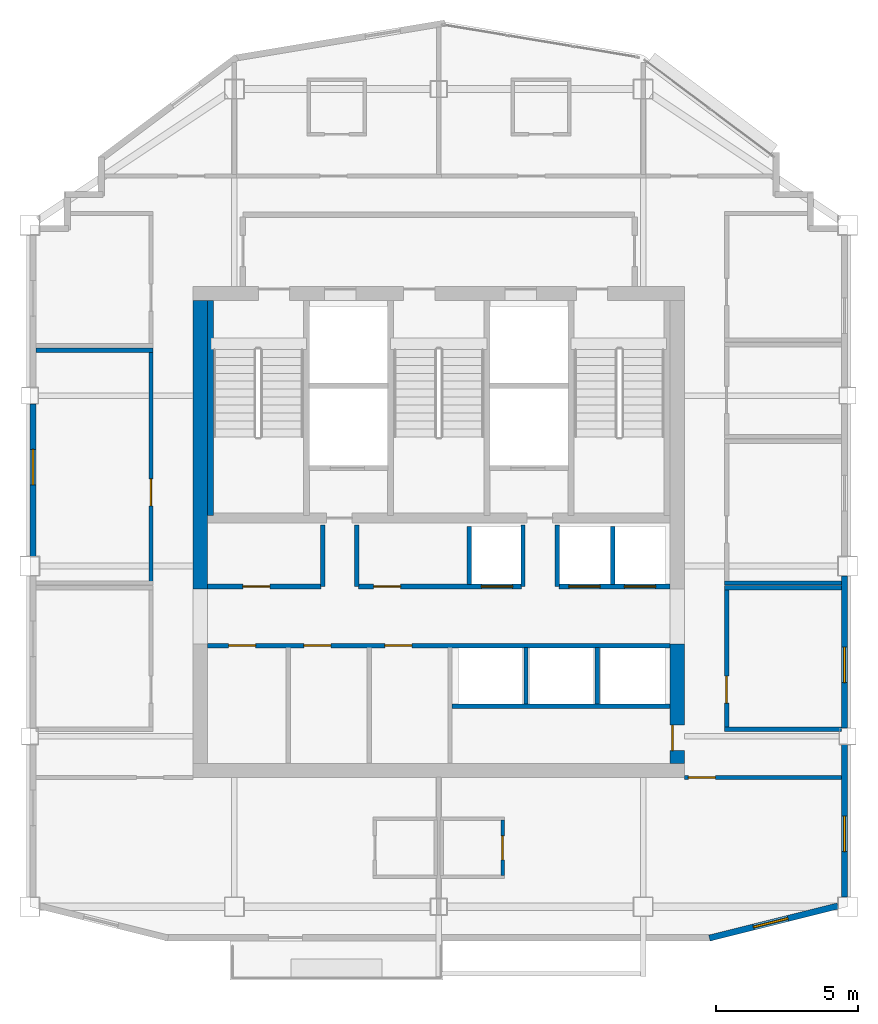
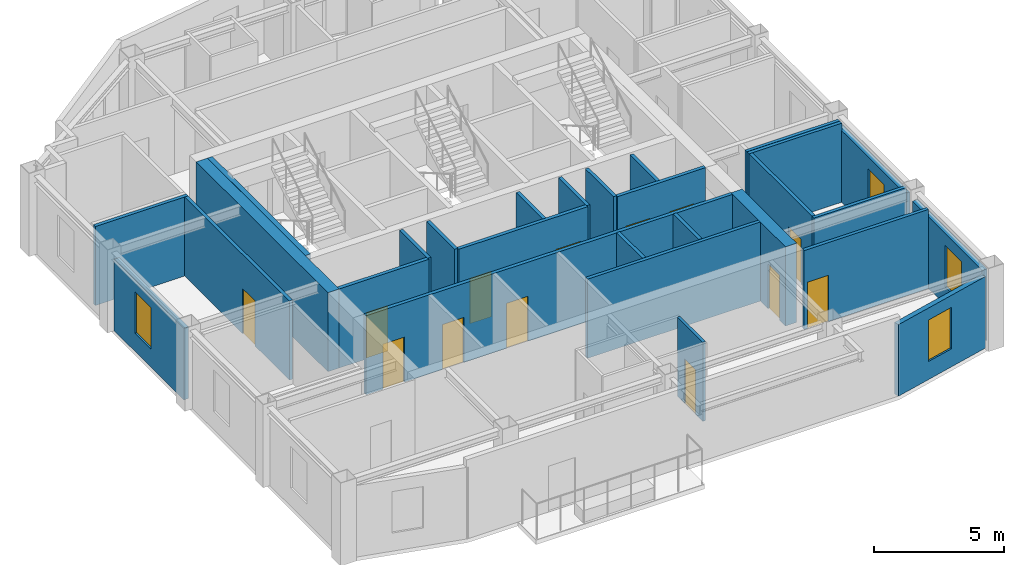
# One storey, part 5 of 9: 28 walls, 13 doors, 4 windows, 17 openings.
"""IFC4 building model written with IfcOpenShell, lengths in metres."""

from ifc_helpers import new_model, si_unit, direction, frame, frame_2d, origin, place, context, subcontext, project, spatial, rectangle, extrude, material, layer, layer_set, type_object, element, fill, save


model = new_model("IFC4")

# Units and contexts
model_context = context("Model", 3, precision=1e-05, world=origin(), true_north=direction((0.0, 1.0)))
body_context = subcontext(model_context, "Body", "Model", "MODEL_VIEW")
ifc_project = project(units=[si_unit("LENGTHUNIT", "METRE"), si_unit("AREAUNIT", "SQUARE_METRE"), si_unit("VOLUMEUNIT", "CUBIC_METRE"), si_unit("PLANEANGLEUNIT", "RADIAN"), si_unit("MASSUNIT", "GRAM", prefix="KILO")], contexts=[model_context])

# Site, building, storey
site_placement = place(None, origin())
site = spatial("IfcSite", under=ifc_project, at=site_placement, CompositionType="ELEMENT")
building_placement = place(site_placement, origin())
building = spatial("IfcBuilding", under=site, at=building_placement, Name="Haolan Belvedere Tower", CompositionType="ELEMENT")
storey_placement = place(building_placement, frame((0.0, 0.0, 290.0)))
storey = spatial("IfcBuildingStorey", under=building, at=storey_placement, Name="L73", CompositionType="ELEMENT", Elevation=290.0)

# Wall
ifc_material_1 = material(Name="Concrete C50/60", Category="concrete")
ifc_layer_1 = layer(ifc_material_1, 0.5, Name="Concrete C50/60")
ifc_layer_set_1 = layer_set([ifc_layer_1], Name="Concrete C50/60")
wall_type_1 = type_object("IfcWallType", Name="WL-CORE-500", PredefinedType="SHEAR", material=ifc_layer_set_1)
wall_1_placement = place(storey_placement, frame((30.0, 32.800048828125, 0.0), z_axis=(0.0, 0.0, 1.0), x_axis=(0.0, 1.0, 0.0)))
element("IfcWall", 1, at=wall_1_placement, inside=storey, type_object=wall_type_1, Name="L73 central core shear wall WN", PredefinedType="SHEAR", context=body_context, shape_type="SweptSolid", body=[
    extrude(rectangle(XDim=10.14990234375, YDim=0.5, at=frame_2d((5.074951171875, 0.0))), origin(), (0.0, 0.0, 1.0), 3.719970703125),
])

# Wall, opening, door
wall_2_placement = place(storey_placement, frame((46.800048828125, 26.64990234375, 0.0), z_axis=(0.0, 0.0, 1.0), x_axis=(0.0, 1.0, 0.0)))
wall_2 = element("IfcWall", 2, at=wall_2_placement, inside=storey, type_object=wall_type_1, Name="L73 central core shear wall ES", PredefinedType="SHEAR", context=body_context, shape_type="SweptSolid", body=[
    extrude(rectangle(XDim=4.2001953125, YDim=0.5, at=frame_2d((2.10009765625, 0.0))), origin(), (0.0, 0.0, 1.0), 3.719970703125),
])
opening_1_placement = place(wall_2_placement, frame((1.349853515625, 0.0, 0.0), z_axis=(0.0, 0.0, 1.0), x_axis=(-1.0, 0.0, 0.0)))
opening_1 = element("IfcOpeningElement", 3, at=opening_1_placement, cuts=wall_2, Name="Opening FD-05", PredefinedType="OPENING", context=body_context, shape_type="SweptSolid", body=[
    extrude(rectangle(XDim=0.89990234375, YDim=2.10009765625, at=frame_2d((0.449951171875, 1.050048828125))), frame((0.0, 0.260009765625, 0.0), z_axis=(0.0, -1.0, 0.0), x_axis=(1.0, 0.0, 0.0)), (0.0, 0.0, 1.0), 0.52001953125),
])
ifc_material_2 = material(Name="Galvanised fire-rated steel", Category="steel")
door_type_1 = type_object("IfcDoorType", Name="DR-FD60-900", OperationType="NOTDEFINED", PredefinedType="DOOR", material=ifc_material_2)
door_1_placement = place(opening_1_placement, origin())
door_1 = element("IfcDoor", 4, at=door_1_placement, inside=storey, type_object=door_type_1, Name="L73 door CD-L73-SCVE", OperationType="SINGLE_SWING_RIGHT", OverallHeight=2.10009765625, OverallWidth=0.89990234375, PredefinedType="DOOR", context=body_context, shape_type="SweptSolid", body=[
    extrude(rectangle(XDim=0.89990234375, YDim=2.10009765625, at=frame_2d((0.449951171875, 1.050048828125))), frame((0.0, -0.134765625, 0.0), z_axis=(0.0, -1.0, 0.0), x_axis=(1.0, 0.0, 0.0)), (0.0, 0.0, 1.0), 0.050048828125),
])
fill(opening_1, door_1)

# Wall, opening, window
ifc_material_3 = material(Name="Precast concrete C40/50", Category="concrete")
ifc_layer_2 = layer(ifc_material_3, 0.219970703125, Name="Precast concrete C40/50")
ifc_layer_set_2 = layer_set([ifc_layer_2], Name="Precast concrete C40/50")
wall_type_2 = type_object("IfcWallType", Name="WL-EXT-220", PredefinedType="SOLIDWALL", material=ifc_layer_set_2)
wall_3_placement = place(storey_placement, frame((47.93310546875, 20.49658203125, 0.0), z_axis=(0.0, 0.0, 1.0), x_axis=(0.970136341762, 0.242560257242, 0.0)))
wall_3 = element("IfcWall", 5, at=wall_3_placement, inside=storey, type_object=wall_type_2, Name="L73 pale-metal exterior spandrel wall 2.1", PredefinedType="SOLIDWALL", context=body_context, shape_type="SweptSolid", body=[
    extrude(rectangle(XDim=4.664306640625, YDim=0.219970703125, at=frame_2d((2.33203125, 0.0))), origin(), (0.0, 0.0, 1.0), 3.364990234375),
])
opening_2_placement = place(wall_3_placement, frame((1.60009765625, 0.0, 0.85009765625)))
opening_2 = element("IfcOpeningElement", 6, at=opening_2_placement, cuts=wall_3, Name="Opening W-04", PredefinedType="OPENING", context=body_context, shape_type="SweptSolid", body=[
    extrude(rectangle(XDim=1.25, YDim=1.949951171875, at=frame_2d((0.625, 0.97509765625))), frame((0.0, 0.119873046875, 0.0), z_axis=(0.0, -1.0, 0.0), x_axis=(1.0, 0.0, 0.0)), (0.0, 0.0, 1.0), 0.239990234375),
])
ifc_material_4 = material(Name="Anodised aluminium 6063-T6 and Low-E glass", Category="aluminium")
window_type = type_object("IfcWindowType", Name="WN-DECO-Z4", PartitioningType="SINGLE_PANEL", PredefinedType="WINDOW", material=ifc_material_4)
window_1_placement = place(opening_2_placement, origin())
window_1 = element("IfcWindow", 7, at=window_1_placement, inside=storey, type_object=window_type, Name="L73 Art Deco chevron window 1", OverallHeight=1.949951171875, OverallWidth=1.25, PartitioningType="SINGLE_PANEL", PredefinedType="WINDOW", context=body_context, shape_type="SweptSolid", body=[
    extrude(rectangle(XDim=1.25, YDim=1.949951171875, at=frame_2d((0.625, 0.97509765625))), frame((0.0, 0.030029296875, 0.0), z_axis=(0.0, -1.0, 0.0), x_axis=(1.0, 0.0, 0.0)), (0.0, 0.0, 1.0), 0.06005859375),
])
fill(opening_2, window_1)

wall_4_placement = place(storey_placement, frame((52.68994140625, 21.94189453125, 0.0), z_axis=(0.0, 0.0, 1.0), x_axis=(0.0, 1.0, 0.0)))
wall_4 = element("IfcWall", 8, at=wall_4_placement, inside=storey, type_object=wall_type_2, Name="L73 pale-metal exterior spandrel wall 3.1", PredefinedType="SOLIDWALL", context=body_context, shape_type="SweptSolid", body=[
    extrude(rectangle(XDim=5.3662109375, YDim=0.219970703125, at=frame_2d((2.68310546875, 0.0))), origin(), (0.0, 0.0, 1.0), 3.364990234375),
])
opening_3_placement = place(wall_4_placement, frame((1.60009765625, 0.0, 0.85009765625)))
opening_3 = element("IfcOpeningElement", 9, at=opening_3_placement, cuts=wall_4, Name="Opening W-04", PredefinedType="OPENING", context=body_context, shape_type="SweptSolid", body=[
    extrude(rectangle(XDim=1.25, YDim=1.949951171875, at=frame_2d((0.625, 0.97509765625))), frame((0.0, 0.119873046875, 0.0), z_axis=(0.0, -1.0, 0.0), x_axis=(1.0, 0.0, 0.0)), (0.0, 0.0, 1.0), 0.239990234375),
])
window_2_placement = place(opening_3_placement, origin())
window_2 = element("IfcWindow", 10, at=window_2_placement, inside=storey, type_object=window_type, Name="L73 Art Deco chevron window 1", OverallHeight=1.949951171875, OverallWidth=1.25, PartitioningType="SINGLE_PANEL", PredefinedType="WINDOW", context=body_context, shape_type="SweptSolid", body=[
    extrude(rectangle(XDim=1.25, YDim=1.949951171875, at=frame_2d((0.625, 0.97509765625))), frame((0.0, 0.030029296875, 0.0), z_axis=(0.0, -1.0, 0.0), x_axis=(1.0, 0.0, 0.0)), (0.0, 0.0, 1.0), 0.06005859375),
])
fill(opening_3, window_2)

wall_5_placement = place(storey_placement, frame((52.68994140625, 27.89208984375, 0.0), z_axis=(0.0, 0.0, 1.0), x_axis=(0.0, 1.0, 0.0)))
wall_5 = element("IfcWall", 11, at=wall_5_placement, inside=storey, type_object=wall_type_2, Name="L73 pale-metal exterior spandrel wall 3.2", PredefinedType="SOLIDWALL", context=body_context, shape_type="SweptSolid", body=[
    extrude(rectangle(XDim=5.365966796875, YDim=0.219970703125, at=frame_2d((2.68310546875, 0.0))), origin(), (0.0, 0.0, 1.0), 3.364990234375),
])
opening_4_placement = place(wall_5_placement, frame((1.60009765625, 0.0, 0.85009765625)))
opening_4 = element("IfcOpeningElement", 12, at=opening_4_placement, cuts=wall_5, Name="Opening W-04", PredefinedType="OPENING", context=body_context, shape_type="SweptSolid", body=[
    extrude(rectangle(XDim=1.25, YDim=1.949951171875, at=frame_2d((0.625, 0.97509765625))), frame((0.0, 0.119873046875, 0.0), z_axis=(0.0, -1.0, 0.0), x_axis=(1.0, 0.0, 0.0)), (0.0, 0.0, 1.0), 0.239990234375),
])
window_3_placement = place(opening_4_placement, origin())
window_3 = element("IfcWindow", 13, at=window_3_placement, inside=storey, type_object=window_type, Name="L73 Art Deco chevron window 1", OverallHeight=1.949951171875, OverallWidth=1.25, PartitioningType="SINGLE_PANEL", PredefinedType="WINDOW", context=body_context, shape_type="SweptSolid", body=[
    extrude(rectangle(XDim=1.25, YDim=1.949951171875, at=frame_2d((0.625, 0.97509765625))), frame((0.0, 0.030029296875, 0.0), z_axis=(0.0, -1.0, 0.0), x_axis=(1.0, 0.0, 0.0)), (0.0, 0.0, 1.0), 0.06005859375),
])
fill(opening_4, window_3)

wall_6_placement = place(storey_placement, frame((24.110107421875, 39.30810546875, 0.0), z_axis=(0.0, 0.0, 1.0), x_axis=(0.0, -1.0, 0.0)))
wall_6 = element("IfcWall", 14, at=wall_6_placement, inside=storey, type_object=wall_type_2, Name="L73 pale-metal exterior spandrel wall 16.2", PredefinedType="SOLIDWALL", context=body_context, shape_type="SweptSolid", body=[
    extrude(rectangle(XDim=5.3662109375, YDim=0.219970703125, at=frame_2d((2.68310546875, 0.0))), origin(), (0.0, 0.0, 1.0), 3.364990234375),
])
opening_5_placement = place(wall_6_placement, frame((1.60009765625, 0.0, 0.85009765625)))
opening_5 = element("IfcOpeningElement", 15, at=opening_5_placement, cuts=wall_6, Name="Opening W-04", PredefinedType="OPENING", context=body_context, shape_type="SweptSolid", body=[
    extrude(rectangle(XDim=1.25, YDim=1.949951171875, at=frame_2d((0.625, 0.97509765625))), frame((0.0, 0.119873046875, 0.0), z_axis=(0.0, -1.0, 0.0), x_axis=(1.0, 0.0, 0.0)), (0.0, 0.0, 1.0), 0.239990234375),
])
window_4_placement = place(opening_5_placement, origin())
window_4 = element("IfcWindow", 16, at=window_4_placement, inside=storey, type_object=window_type, Name="L73 Art Deco chevron window 1", OverallHeight=1.949951171875, OverallWidth=1.25, PartitioningType="SINGLE_PANEL", PredefinedType="WINDOW", context=body_context, shape_type="SweptSolid", body=[
    extrude(rectangle(XDim=1.25, YDim=1.949951171875, at=frame_2d((0.625, 0.97509765625))), frame((0.0, 0.030029296875, 0.0), z_axis=(0.0, -1.0, 0.0), x_axis=(1.0, 0.0, 0.0)), (0.0, 0.0, 1.0), 0.06005859375),
])
fill(opening_5, window_4)

# Walls
ifc_material_5 = material(Name="Double gypsum acoustic stud partition", Category="masonry")
ifc_layer_3 = layer(ifc_material_5, 0.14990234375, Name="Double gypsum acoustic stud partition")
ifc_layer_set_3 = layer_set([ifc_layer_3], Name="Double gypsum acoustic stud partition")
wall_type_3 = type_object("IfcWallType", Name="WL-PART-150", PredefinedType="PARTITIONING", material=ifc_layer_set_3)
wall_7_placement = place(storey_placement, frame((38.860107421875, 28.659912109375, 0.0), z_axis=(0.0, 0.0, 1.0), x_axis=(1.0, 0.0, 0.0)))
element("IfcWall", 17, at=wall_7_placement, inside=storey, type_object=wall_type_3, Name="L73 interior partition IW-L73-SSTRIP-E", PredefinedType="PARTITIONING", context=body_context, shape_type="SweptSolid", body=[
    extrude(rectangle(XDim=7.68994140625, YDim=0.14990234375, at=frame_2d((3.844970703125, 0.0))), origin(), (0.0, 0.0, 1.0), 3.719970703125),
])
wall_8_placement = place(storey_placement, frame((24.2119140625, 41.199951171875, 0.0), z_axis=(0.0, 0.0, 1.0), x_axis=(1.0, 0.0, 0.0)))
element("IfcWall", 18, at=wall_8_placement, inside=storey, type_object=wall_type_3, Name="L73 interior partition IW-L73-SAL-N", PredefinedType="PARTITIONING", context=body_context, shape_type="SweptSolid", body=[
    extrude(rectangle(XDim=4.128173828125, YDim=0.14990234375, at=frame_2d((2.06396484375, 0.0))), origin(), (0.0, 0.0, 1.0), 3.719970703125),
])

# Wall, opening, door
wall_9_placement = place(storey_placement, frame((28.260009765625, 33.06005859375, 0.0), z_axis=(0.0, 0.0, 1.0), x_axis=(0.0, 1.0, 0.0)))
wall_9 = element("IfcWall", 19, at=wall_9_placement, inside=storey, type_object=wall_type_3, Name="L73 interior partition IW-L73-SAL-E", PredefinedType="PARTITIONING", context=body_context, shape_type="SweptSolid", body=[
    extrude(rectangle(XDim=8.079833984375, YDim=0.14990234375, at=frame_2d((4.0400390625, 0.0))), origin(), (0.0, 0.0, 1.0), 3.719970703125),
])
opening_6_placement = place(wall_9_placement, frame((3.60986328125, 0.0, 0.0), z_axis=(0.0, 0.0, 1.0), x_axis=(-1.0, 0.0, 0.0)))
opening_6 = element("IfcOpeningElement", 20, at=opening_6_placement, cuts=wall_9, Name="Opening ID-03", PredefinedType="OPENING", context=body_context, shape_type="SweptSolid", body=[
    extrude(rectangle(XDim=0.949951171875, YDim=2.1201171875, at=frame_2d((0.47509765625, 1.06005859375))), frame((0.0, 0.0849609375, 0.0), z_axis=(0.0, -1.0, 0.0), x_axis=(1.0, 0.0, 0.0)), (0.0, 0.0, 1.0), 0.169921875),
])
ifc_material_6 = material(Name="Painted solid-core timber", Category="wood")
door_type_2 = type_object("IfcDoorType", Name="DR-INT-950", OperationType="NOTDEFINED", PredefinedType="DOOR", material=ifc_material_6)
door_2_placement = place(opening_6_placement, origin())
door_2 = element("IfcDoor", 21, at=door_2_placement, inside=storey, type_object=door_type_2, Name="L73 door ID-L73-SAL", OperationType="SINGLE_SWING_LEFT", OverallHeight=2.1201171875, OverallWidth=0.949951171875, PredefinedType="DOOR", context=body_context, shape_type="SweptSolid", body=[
    extrude(rectangle(XDim=0.949951171875, YDim=2.1201171875, at=frame_2d((0.47509765625, 1.06005859375))), frame((0.0, 0.02490234375, 0.0), z_axis=(0.0, -1.0, 0.0), x_axis=(1.0, 0.0, 0.0)), (0.0, 0.0, 1.0), 0.050048828125),
])
fill(opening_6, door_2)

# Walls
for number, where, z_axis, x_axis, name in (
    (22, (48.4599609375, 33.0, 0.0), (0.0, 0.0, 1.0), (1.0, 0.0, 0.0), "L73 interior partition IW-L73-BPN-S"),
    (23, (48.4599609375, 32.840087890625, 0.0), (0.0, 0.0, 1.0), (1.0, 0.0, 0.0), "L73 interior partition IW-L73-PKTE-N"),
    (24, (48.4599609375, 27.85009765625, 0.0), (0.0, 0.0, 1.0), (1.0, 0.0, 0.0), "L73 interior partition IW-L73-PKTE-S"),
):
    element("IfcWall", number, at=place(storey_placement, frame(where, z_axis=z_axis, x_axis=x_axis)), inside=storey, type_object=wall_type_3, Name=name, PredefinedType="PARTITIONING", context=body_context, shape_type="SweptSolid", body=[
        extrude(rectangle(XDim=4.1279296875, YDim=0.14990234375, at=frame_2d((2.06396484375, 0.0))), origin(), (0.0, 0.0, 1.0), 3.719970703125),
    ])

# Wall, opening, door
wall_10_placement = place(storey_placement, frame((48.5400390625, 27.909912109375, 0.0), z_axis=(0.0, 0.0, 1.0), x_axis=(0.0, 1.0, 0.0)))
wall_10 = element("IfcWall", 25, at=wall_10_placement, inside=storey, type_object=wall_type_3, Name="L73 interior partition IW-L73-PKTE-W", PredefinedType="PARTITIONING", context=body_context, shape_type="SweptSolid", body=[
    extrude(rectangle(XDim=4.8701171875, YDim=0.14990234375, at=frame_2d((2.43505859375, 0.0))), origin(), (0.0, 0.0, 1.0), 3.719970703125),
])
opening_7_placement = place(wall_10_placement, frame((0.860107421875, 0.0, 0.0)))
opening_7 = element("IfcOpeningElement", 26, at=opening_7_placement, cuts=wall_10, Name="Opening ID-03", PredefinedType="OPENING", context=body_context, shape_type="SweptSolid", body=[
    extrude(rectangle(XDim=0.949951171875, YDim=2.1201171875, at=frame_2d((0.47509765625, 1.06005859375))), frame((0.0, 0.0849609375, 0.0), z_axis=(0.0, -1.0, 0.0), x_axis=(1.0, 0.0, 0.0)), (0.0, 0.0, 1.0), 0.169921875),
])
door_3_placement = place(opening_7_placement, origin())
door_3 = element("IfcDoor", 27, at=door_3_placement, inside=storey, type_object=door_type_2, Name="L73 door ID-L73-PKTE", OperationType="SINGLE_SWING_RIGHT", OverallHeight=2.1201171875, OverallWidth=0.949951171875, PredefinedType="DOOR", context=body_context, shape_type="SweptSolid", body=[
    extrude(rectangle(XDim=0.949951171875, YDim=2.1201171875, at=frame_2d((0.47509765625, 1.06005859375))), frame((0.0, 0.02490234375, 0.0), z_axis=(0.0, -1.0, 0.0), x_axis=(1.0, 0.0, 0.0)), (0.0, 0.0, 1.0), 0.050048828125),
])
fill(opening_7, door_3)

wall_11_placement = place(storey_placement, frame((47.052001953125, 26.14990234375, 0.0), z_axis=(0.0, 0.0, 1.0), x_axis=(1.0, 0.0, 0.0)))
wall_11 = element("IfcWall", 28, at=wall_11_placement, inside=storey, type_object=wall_type_3, Name="L73 interior partition IW-L73-KS2-N", PredefinedType="PARTITIONING", context=body_context, shape_type="SweptSolid", body=[
    extrude(rectangle(XDim=5.535888671875, YDim=0.14990234375, at=frame_2d((2.76806640625, 0.0))), origin(), (0.0, 0.0, 1.0), 3.719970703125),
])
opening_8_placement = place(wall_11_placement, frame((1.08984375, 0.0, 0.0), z_axis=(0.0, 0.0, 1.0), x_axis=(-1.0, 0.0, 0.0)))
opening_8 = element("IfcOpeningElement", 29, at=opening_8_placement, cuts=wall_11, Name="Opening ID-01", PredefinedType="OPENING", context=body_context, shape_type="SweptSolid", body=[
    extrude(rectangle(XDim=0.949951171875, YDim=2.179931640625, at=frame_2d((0.47509765625, 1.08984375))), frame((0.0, 0.0849609375, 0.0), z_axis=(0.0, -1.0, 0.0), x_axis=(1.0, 0.0, 0.0)), (0.0, 0.0, 1.0), 0.169921875),
])
ifc_material_7 = material(Name="Acoustic walnut veneer fire-rated timber", Category="wood")
door_type_3 = type_object("IfcDoorType", Name="DR-SUITE-950", OperationType="NOTDEFINED", PredefinedType="DOOR", material=ifc_material_7)
door_4_placement = place(opening_8_placement, origin())
door_4 = element("IfcDoor", 30, at=door_4_placement, inside=storey, type_object=door_type_3, Name="L73 door ID-L73-KS2-ENT", OperationType="SINGLE_SWING_RIGHT", OverallHeight=2.179931640625, OverallWidth=0.949951171875, PredefinedType="DOOR", context=body_context, shape_type="SweptSolid", body=[
    extrude(rectangle(XDim=0.949951171875, YDim=2.179931640625, at=frame_2d((0.47509765625, 1.08984375))), frame((0.0, 0.02490234375, 0.0), z_axis=(0.0, -1.0, 0.0), x_axis=(1.0, 0.0, 0.0)), (0.0, 0.0, 1.0), 0.050048828125),
])
fill(opening_8, door_4)

# Walls
ifc_material_8 = material(Name="Gypsum fire shaftwall assembly", Category="masonry")
ifc_layer_4 = layer(ifc_material_8, 0.1650390625, Name="Gypsum fire shaftwall assembly")
ifc_layer_set_4 = layer_set([ifc_layer_4], Name="Gypsum fire shaftwall assembly")
wall_type_4 = type_object("IfcWallType", Name="WL-SHAFT-160", PredefinedType="SOLIDWALL", material=ifc_layer_set_4)
for number, where, z_axis, x_axis, name in (
    (31, (34.31005859375, 32.8798828125, 0.0), (0.0, 0.0, 1.0), (0.0, 1.0, 0.0), "L73 interior partition IW-L73-SVP-W-SV1"),
    (32, (35.510009765625, 32.8798828125, 0.0), (0.0, 0.0, 1.0), (0.0, 1.0, 0.0), "L73 interior partition IW-L73-SVP-E-SV1"),
    (33, (41.3701171875, 32.8798828125, 0.0), (0.0, 0.0, 1.0), (0.0, 1.0, 0.0), "L73 interior partition IW-L73-SVP-W-SV2"),
    (34, (42.570068359375, 32.8798828125, 0.0), (0.0, 0.0, 1.0), (0.0, 1.0, 0.0), "L73 interior partition IW-L73-SVP-E-SV2"),
):
    element("IfcWall", number, at=place(storey_placement, frame(where, z_axis=z_axis, x_axis=x_axis)), inside=storey, type_object=wall_type_4, Name=name, PredefinedType="SOLIDWALL", context=body_context, shape_type="SweptSolid", body=[
        extrude(rectangle(XDim=2.170166015625, YDim=0.14990234375, at=frame_2d((1.0849609375, 0.0))), origin(), (0.0, 0.0, 1.0), 3.719970703125),
    ])

# Wall, opening, door
wall_12_placement = place(storey_placement, frame((30.25, 32.8798828125, 0.0), z_axis=(0.0, 0.0, 1.0), x_axis=(1.0, 0.0, 0.0)))
wall_12 = element("IfcWall", 35, at=wall_12_placement, inside=storey, type_object=wall_type_4, Name="L73 interior partition IW-L73-ROW-PN1", PredefinedType="SOLIDWALL", context=body_context, shape_type="SweptSolid", body=[
    extrude(rectangle(XDim=4.0, YDim=0.159912109375, at=frame_2d((2.0, 0.0))), origin(), (0.0, 0.0, 1.0), 3.719970703125),
])
opening_9_placement = place(wall_12_placement, frame((2.199951171875, 0.0, 0.0), z_axis=(0.0, 0.0, 1.0), x_axis=(-1.0, 0.0, 0.0)))
opening_9 = element("IfcOpeningElement", 36, at=opening_9_placement, cuts=wall_12, Name="Opening ID-03", PredefinedType="OPENING", context=body_context, shape_type="SweptSolid", body=[
    extrude(rectangle(XDim=0.949951171875, YDim=2.1201171875, at=frame_2d((0.47509765625, 1.06005859375))), frame((0.0, 0.08984375, 0.0), z_axis=(0.0, -1.0, 0.0), x_axis=(1.0, 0.0, 0.0)), (0.0, 0.0, 1.0), 0.179931640625),
])
door_5_placement = place(opening_9_placement, origin())
door_5 = element("IfcDoor", 37, at=door_5_placement, inside=storey, type_object=door_type_2, Name="L73 door ID-L73-CD-RPLW", OperationType="SINGLE_SWING_LEFT", OverallHeight=2.1201171875, OverallWidth=0.949951171875, PredefinedType="DOOR", context=body_context, shape_type="SweptSolid", body=[
    extrude(rectangle(XDim=0.949951171875, YDim=2.1201171875, at=frame_2d((0.47509765625, 1.06005859375))), frame((0.0, 0.02490234375, 0.0), z_axis=(0.0, -1.0, 0.0), x_axis=(1.0, 0.0, 0.0)), (0.0, 0.0, 1.0), 0.050048828125),
])
fill(opening_9, door_5)

# Wall, openings, doors
wall_13_placement = place(storey_placement, frame((35.570068359375, 32.8798828125, 0.0), z_axis=(0.0, 0.0, 1.0), x_axis=(1.0, 0.0, 0.0)))
wall_13 = element("IfcWall", 38, at=wall_13_placement, inside=storey, type_object=wall_type_4, Name="L73 interior partition IW-L73-ROW-PN2", PredefinedType="SOLIDWALL", context=body_context, shape_type="SweptSolid", body=[
    extrude(rectangle(XDim=5.739990234375, YDim=0.159912109375, at=frame_2d((2.8701171875, 0.0))), origin(), (0.0, 0.0, 1.0), 3.719970703125),
])
opening_10_placement = place(wall_13_placement, frame((1.489990234375, 0.0, 0.0), z_axis=(0.0, 0.0, 1.0), x_axis=(-1.0, 0.0, 0.0)))
opening_10 = element("IfcOpeningElement", 39, at=opening_10_placement, cuts=wall_13, Name="Opening ID-03", PredefinedType="OPENING", context=body_context, shape_type="SweptSolid", body=[
    extrude(rectangle(XDim=0.949951171875, YDim=2.1201171875, at=frame_2d((0.47509765625, 1.06005859375))), frame((0.0, 0.08984375, 0.0), z_axis=(0.0, -1.0, 0.0), x_axis=(1.0, 0.0, 0.0)), (0.0, 0.0, 1.0), 0.179931640625),
])
opening_11_placement = place(wall_13_placement, frame((5.43017578125, 0.0, 0.0), z_axis=(0.0, 0.0, 1.0), x_axis=(-1.0, 0.0, 0.0)))
opening_11 = element("IfcOpeningElement", 40, at=opening_11_placement, cuts=wall_13, Name="Opening LD-01", PredefinedType="OPENING", context=body_context, shape_type="SweptSolid", body=[
    extrude(rectangle(XDim=1.10009765625, YDim=2.199951171875, at=frame_2d((0.550048828125, 1.10009765625))), frame((0.0, 0.08984375, 0.0), z_axis=(0.0, -1.0, 0.0), x_axis=(1.0, 0.0, 0.0)), (0.0, 0.0, 1.0), 0.179931640625),
])
door_6_placement = place(opening_10_placement, origin())
door_6 = element("IfcDoor", 41, at=door_6_placement, inside=storey, type_object=door_type_2, Name="L73 door ID-L73-CD-RPLE", OperationType="SINGLE_SWING_RIGHT", OverallHeight=2.1201171875, OverallWidth=0.949951171875, PredefinedType="DOOR", context=body_context, shape_type="SweptSolid", body=[
    extrude(rectangle(XDim=0.949951171875, YDim=2.1201171875, at=frame_2d((0.47509765625, 1.06005859375))), frame((0.0, 0.02490234375, 0.0), z_axis=(0.0, -1.0, 0.0), x_axis=(1.0, 0.0, 0.0)), (0.0, 0.0, 1.0), 0.050048828125),
])
fill(opening_10, door_6)
ifc_material_9 = material(Name="Brushed champagne stainless steel 316L", Category="steel")
door_type_4 = type_object("IfcDoorType", Name="DR-LIFT-1100", OperationType="SLIDING_TO_LEFT", PredefinedType="DOOR", material=ifc_material_9)
door_7_placement = place(opening_11_placement, origin())
door_7 = element("IfcDoor", 42, at=door_7_placement, inside=storey, type_object=door_type_4, Name="L73 door ID-L73-LD-PH1", OperationType="SLIDING_TO_RIGHT", OverallHeight=2.199951171875, OverallWidth=1.10009765625, PredefinedType="DOOR", context=body_context, shape_type="SweptSolid", body=[
    extrude(rectangle(XDim=1.10009765625, YDim=2.199951171875, at=frame_2d((0.550048828125, 1.10009765625))), frame((0.0, 0.02490234375, 0.0), z_axis=(0.0, -1.0, 0.0), x_axis=(1.0, 0.0, 0.0)), (0.0, 0.0, 1.0), 0.050048828125),
])
fill(opening_11, door_7)

wall_14_placement = place(storey_placement, frame((42.6298828125, 32.8798828125, 0.0), z_axis=(0.0, 0.0, 1.0), x_axis=(1.0, 0.0, 0.0)))
wall_14 = element("IfcWall", 43, at=wall_14_placement, inside=storey, type_object=wall_type_4, Name="L73 interior partition IW-L73-ROW-PN3", PredefinedType="SOLIDWALL", context=body_context, shape_type="SweptSolid", body=[
    extrude(rectangle(XDim=3.920166015625, YDim=0.159912109375, at=frame_2d((1.9599609375, 0.0))), origin(), (0.0, 0.0, 1.0), 3.719970703125),
])
opening_12_placement = place(wall_14_placement, frame((1.4501953125, 0.0, 0.0), z_axis=(0.0, 0.0, 1.0), x_axis=(-1.0, 0.0, 0.0)))
opening_12 = element("IfcOpeningElement", 44, at=opening_12_placement, cuts=wall_14, Name="Opening LD-01", PredefinedType="OPENING", context=body_context, shape_type="SweptSolid", body=[
    extrude(rectangle(XDim=1.10009765625, YDim=2.199951171875, at=frame_2d((0.550048828125, 1.10009765625))), frame((0.0, 0.08984375, 0.0), z_axis=(0.0, -1.0, 0.0), x_axis=(1.0, 0.0, 0.0)), (0.0, 0.0, 1.0), 0.179931640625),
])
opening_13_placement = place(wall_14_placement, frame((3.41015625, 0.0, 0.0), z_axis=(0.0, 0.0, 1.0), x_axis=(-1.0, 0.0, 0.0)))
opening_13 = element("IfcOpeningElement", 45, at=opening_13_placement, cuts=wall_14, Name="Opening LD-01", PredefinedType="OPENING", context=body_context, shape_type="SweptSolid", body=[
    extrude(rectangle(XDim=1.10009765625, YDim=2.199951171875, at=frame_2d((0.550048828125, 1.10009765625))), frame((0.0, 0.08984375, 0.0), z_axis=(0.0, -1.0, 0.0), x_axis=(1.0, 0.0, 0.0)), (0.0, 0.0, 1.0), 0.179931640625),
])
door_8_placement = place(opening_12_placement, origin())
door_8 = element("IfcDoor", 46, at=door_8_placement, inside=storey, type_object=door_type_4, Name="L73 door ID-L73-LD-PH2", OperationType="SLIDING_TO_RIGHT", OverallHeight=2.199951171875, OverallWidth=1.10009765625, PredefinedType="DOOR", context=body_context, shape_type="SweptSolid", body=[
    extrude(rectangle(XDim=1.10009765625, YDim=2.199951171875, at=frame_2d((0.550048828125, 1.10009765625))), frame((0.0, 0.02490234375, 0.0), z_axis=(0.0, -1.0, 0.0), x_axis=(1.0, 0.0, 0.0)), (0.0, 0.0, 1.0), 0.050048828125),
])
fill(opening_12, door_8)
door_9_placement = place(opening_13_placement, origin())
door_9 = element("IfcDoor", 47, at=door_9_placement, inside=storey, type_object=door_type_4, Name="L73 door ID-L73-LD-PH3", OperationType="SLIDING_TO_RIGHT", OverallHeight=2.199951171875, OverallWidth=1.10009765625, PredefinedType="DOOR", context=body_context, shape_type="SweptSolid", body=[
    extrude(rectangle(XDim=1.10009765625, YDim=2.199951171875, at=frame_2d((0.550048828125, 1.10009765625))), frame((0.0, 0.02490234375, 0.0), z_axis=(0.0, -1.0, 0.0), x_axis=(1.0, 0.0, 0.0)), (0.0, 0.0, 1.0), 0.050048828125),
])
fill(opening_13, door_9)

# Walls
for number, where, z_axis, x_axis, name in (
    (48, (39.469970703125, 32.949951171875, 0.0), (0.0, 0.0, 1.0), (0.0, 1.0, 0.0), "L73 interior partition IW-L73-DIV-PL4R"),
    (49, (44.530029296875, 32.949951171875, 0.0), (0.0, 0.0, 1.0), (0.0, 1.0, 0.0), "L73 interior partition IW-L73-DIV-PH2"),
):
    element("IfcWall", number, at=place(storey_placement, frame(where, z_axis=z_axis, x_axis=x_axis)), inside=storey, type_object=wall_type_4, Name=name, PredefinedType="SOLIDWALL", context=body_context, shape_type="SweptSolid", body=[
        extrude(rectangle(XDim=2.050048828125, YDim=0.14990234375, at=frame_2d((1.02490234375, 0.0))), origin(), (0.0, 0.0, 1.0), 3.719970703125),
    ])

# Wall, openings, doors
wall_15_placement = place(storey_placement, frame((30.25, 30.800048828125, 0.0), z_axis=(0.0, 0.0, 1.0), x_axis=(1.0, 0.0, 0.0)))
wall_15 = element("IfcWall", 50, at=wall_15_placement, inside=storey, type_object=wall_type_4, Name="L73 interior partition IW-L73-ROW-PS", PredefinedType="SOLIDWALL", context=body_context, shape_type="SweptSolid", body=[
    extrude(rectangle(XDim=16.300048828125, YDim=0.159912109375, at=frame_2d((8.14990234375, 0.0))), origin(), (0.0, 0.0, 1.0), 3.719970703125),
])
opening_14_placement = place(wall_15_placement, frame((0.75, 0.0, 0.0)))
opening_14 = element("IfcOpeningElement", 51, at=opening_14_placement, cuts=wall_15, Name="Opening ID-03", PredefinedType="OPENING", context=body_context, shape_type="SweptSolid", body=[
    extrude(rectangle(XDim=0.949951171875, YDim=2.1201171875, at=frame_2d((0.47509765625, 1.06005859375))), frame((0.0, 0.08984375, 0.0), z_axis=(0.0, -1.0, 0.0), x_axis=(1.0, 0.0, 0.0)), (0.0, 0.0, 1.0), 0.179931640625),
])
opening_15_placement = place(wall_15_placement, frame((3.39990234375, 0.0, 0.0)))
opening_15 = element("IfcOpeningElement", 52, at=opening_15_placement, cuts=wall_15, Name="Opening ID-03", PredefinedType="OPENING", context=body_context, shape_type="SweptSolid", body=[
    extrude(rectangle(XDim=0.949951171875, YDim=2.1201171875, at=frame_2d((0.47509765625, 1.06005859375))), frame((0.0, 0.08984375, 0.0), z_axis=(0.0, -1.0, 0.0), x_axis=(1.0, 0.0, 0.0)), (0.0, 0.0, 1.0), 0.179931640625),
])
opening_16_placement = place(wall_15_placement, frame((6.25, 0.0, 0.0)))
opening_16 = element("IfcOpeningElement", 53, at=opening_16_placement, cuts=wall_15, Name="Opening ID-03", PredefinedType="OPENING", context=body_context, shape_type="SweptSolid", body=[
    extrude(rectangle(XDim=0.949951171875, YDim=2.1201171875, at=frame_2d((0.47509765625, 1.06005859375))), frame((0.0, 0.08984375, 0.0), z_axis=(0.0, -1.0, 0.0), x_axis=(1.0, 0.0, 0.0)), (0.0, 0.0, 1.0), 0.179931640625),
])
door_10_placement = place(opening_14_placement, origin())
door_10 = element("IfcDoor", 54, at=door_10_placement, inside=storey, type_object=door_type_2, Name="L73 door ID-L73-CD-RPMA", OperationType="SINGLE_SWING_LEFT", OverallHeight=2.1201171875, OverallWidth=0.949951171875, PredefinedType="DOOR", context=body_context, shape_type="SweptSolid", body=[
    extrude(rectangle(XDim=0.949951171875, YDim=2.1201171875, at=frame_2d((0.47509765625, 1.06005859375))), frame((0.0, 0.02490234375, 0.0), z_axis=(0.0, -1.0, 0.0), x_axis=(1.0, 0.0, 0.0)), (0.0, 0.0, 1.0), 0.050048828125),
])
fill(opening_14, door_10)
door_11_placement = place(opening_15_placement, origin())
door_11 = element("IfcDoor", 55, at=door_11_placement, inside=storey, type_object=door_type_2, Name="L73 door ID-L73-CD-RPMB", OperationType="SINGLE_SWING_RIGHT", OverallHeight=2.1201171875, OverallWidth=0.949951171875, PredefinedType="DOOR", context=body_context, shape_type="SweptSolid", body=[
    extrude(rectangle(XDim=0.949951171875, YDim=2.1201171875, at=frame_2d((0.47509765625, 1.06005859375))), frame((0.0, 0.02490234375, 0.0), z_axis=(0.0, -1.0, 0.0), x_axis=(1.0, 0.0, 0.0)), (0.0, 0.0, 1.0), 0.050048828125),
])
fill(opening_15, door_11)
door_12_placement = place(opening_16_placement, origin())
door_12 = element("IfcDoor", 56, at=door_12_placement, inside=storey, type_object=door_type_2, Name="L73 door ID-L73-CD-RPMC", OperationType="SINGLE_SWING_LEFT", OverallHeight=2.1201171875, OverallWidth=0.949951171875, PredefinedType="DOOR", context=body_context, shape_type="SweptSolid", body=[
    extrude(rectangle(XDim=0.949951171875, YDim=2.1201171875, at=frame_2d((0.47509765625, 1.06005859375))), frame((0.0, 0.02490234375, 0.0), z_axis=(0.0, -1.0, 0.0), x_axis=(1.0, 0.0, 0.0)), (0.0, 0.0, 1.0), 0.050048828125),
])
fill(opening_16, door_12)

# Walls
for number, where, z_axis, x_axis, name in (
    (57, (41.469970703125, 28.75, 0.0), (0.0, 0.0, 1.0), (0.0, 1.0, 0.0), "L73 interior partition IW-L73-DIV-OB1"),
    (58, (43.97998046875, 28.75, 0.0), (0.0, 0.0, 1.0), (0.0, 1.0, 0.0), "L73 interior partition IW-L73-DIV-OB2"),
):
    element("IfcWall", number, at=place(storey_placement, frame(where, z_axis=z_axis, x_axis=x_axis)), inside=storey, type_object=wall_type_4, Name=name, PredefinedType="SOLIDWALL", context=body_context, shape_type="SweptSolid", body=[
        extrude(rectangle(XDim=1.985107421875, YDim=0.14990234375, at=frame_2d((0.99267578125, 0.0))), origin(), (0.0, 0.0, 1.0), 3.719970703125),
    ])
ifc_layer_5 = layer(ifc_material_1, 0.219970703125, Name="Concrete C50/60")
ifc_layer_set_5 = layer_set([ifc_layer_5], Name="Concrete C50/60")
wall_type_5 = type_object("IfcWallType", Name="WL-STAIR-220", PredefinedType="SHEAR", material=ifc_layer_set_5)
wall_16_placement = place(storey_placement, frame((30.362060546875, 35.389892578125, 0.0), z_axis=(0.0, 0.0, 1.0), x_axis=(0.0, 1.0, 0.0)))
element("IfcWall", 59, at=wall_16_placement, inside=storey, type_object=wall_type_5, Name="L73 structural stair core wall ST1W", PredefinedType="SHEAR", context=body_context, shape_type="SweptSolid", body=[
    extrude(rectangle(XDim=7.56005859375, YDim=0.219970703125, at=frame_2d((3.780029296875, 0.0))), origin(), (0.0, 0.0, 1.0), 3.719970703125),
])

# Wall, opening, door
ifc_material_10 = material(Name="Moisture-resistant gypsum tile partition", Category="masonry")
ifc_layer_6 = layer(ifc_material_10, 0.1201171875, Name="Moisture-resistant gypsum tile partition")
ifc_layer_set_6 = layer_set([ifc_layer_6], Name="Moisture-resistant gypsum tile partition")
wall_type_6 = type_object("IfcWallType", Name="WL-WET-120", PredefinedType="PARTITIONING", material=ifc_layer_set_6)
wall_17_placement = place(storey_placement, frame((40.64990234375, 22.695068359375, 0.0), z_axis=(0.0, 0.0, 1.0), x_axis=(0.0, 1.0, 0.0)))
wall_17 = element("IfcWall", 60, at=wall_17_placement, inside=storey, type_object=wall_type_6, Name="L73 interior partition IW-L73-KS2-BE", PredefinedType="PARTITIONING", context=body_context, shape_type="SweptSolid", body=[
    extrude(rectangle(XDim=1.9599609375, YDim=0.1201171875, at=frame_2d((0.97998046875, 0.0))), origin(), (0.0, 0.0, 1.0), 3.719970703125),
])
opening_17_placement = place(wall_17_placement, frame((0.554931640625, 0.0, 0.0)))
opening_17 = element("IfcOpeningElement", 61, at=opening_17_placement, cuts=wall_17, Name="Opening ID-05", PredefinedType="OPENING", context=body_context, shape_type="SweptSolid", body=[
    extrude(rectangle(XDim=0.85009765625, YDim=2.10009765625, at=frame_2d((0.425048828125, 1.050048828125))), frame((0.0, 0.070068359375, 0.0), z_axis=(0.0, -1.0, 0.0), x_axis=(1.0, 0.0, 0.0)), (0.0, 0.0, 1.0), 0.14013671875),
])
ifc_material_11 = material(Name="Moisture-resistant lacquered timber", Category="wood")
door_type_5 = type_object("IfcDoorType", Name="DR-BATH-850", OperationType="NOTDEFINED", PredefinedType="DOOR", material=ifc_material_11)
door_13_placement = place(opening_17_placement, origin())
door_13 = element("IfcDoor", 62, at=door_13_placement, inside=storey, type_object=door_type_5, Name="L73 door ID-L73-KS2-BATH", OperationType="SINGLE_SWING_LEFT", OverallHeight=2.10009765625, OverallWidth=0.85009765625, PredefinedType="DOOR", context=body_context, shape_type="SweptSolid", body=[
    extrude(rectangle(XDim=0.85009765625, YDim=2.10009765625, at=frame_2d((0.425048828125, 1.050048828125))), frame((0.0, 0.02490234375, 0.0), z_axis=(0.0, -1.0, 0.0), x_axis=(1.0, 0.0, 0.0)), (0.0, 0.0, 1.0), 0.050048828125),
])
fill(opening_17, door_13)

save(model, "model.ifc")
